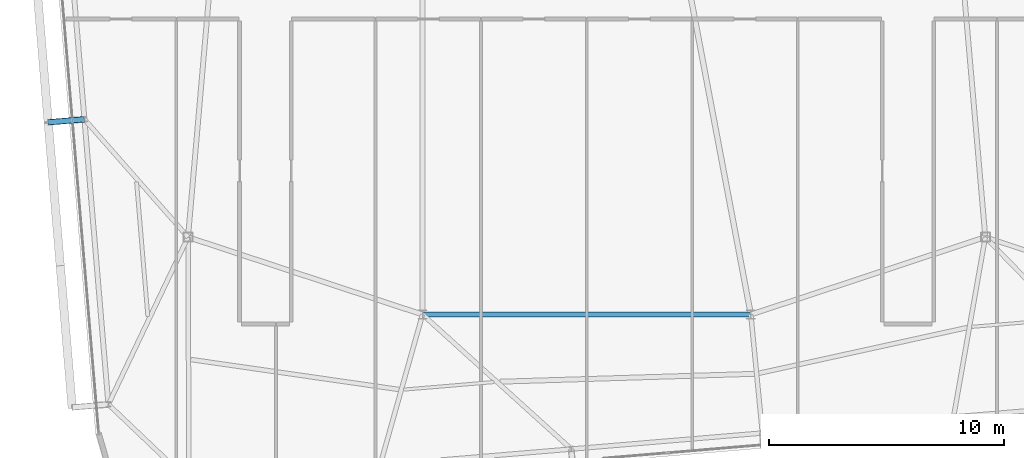
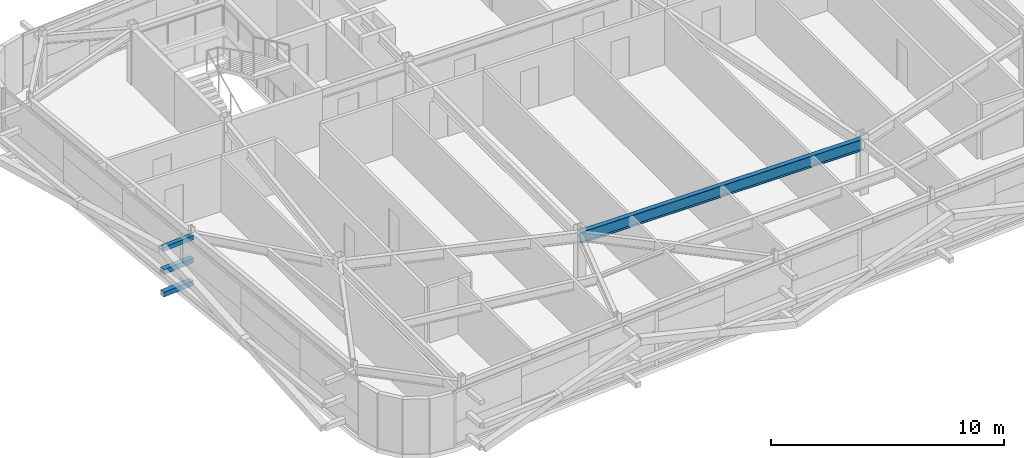
# One storey, part 11 of 39: 3 members, 1 beam.
"""IFC4 building model written with IfcOpenShell, lengths in metres."""

from ifc_helpers import new_model, si_unit, direction, frame, origin, origin_2d, place, context, subcontext, project, spatial, hollow_rectangle, i_section, extrude, source, transform, mapped, material, material_profile, profile_set, type_object, element, save


model = new_model("IFC4")

# Units and contexts
model_context = context("Model", 3, precision=1e-05, world=origin(), true_north=direction((0.0, 1.0)))
body_context = subcontext(model_context, "Body", "Model", "MODEL_VIEW")
ifc_project = project(units=[si_unit("LENGTHUNIT", "METRE"), si_unit("AREAUNIT", "SQUARE_METRE"), si_unit("VOLUMEUNIT", "CUBIC_METRE"), si_unit("PLANEANGLEUNIT", "RADIAN"), si_unit("MASSUNIT", "GRAM", prefix="KILO")], contexts=[model_context])

# Site, building, storey
site_placement = place(None, origin())
site = spatial("IfcSite", under=ifc_project, at=site_placement, CompositionType="ELEMENT")
building_placement = place(site_placement, origin())
building = spatial("IfcBuilding", under=site, at=building_placement, Name="Taldren Reach Tower", CompositionType="ELEMENT")
storey_placement = place(building_placement, frame((0.0, 0.0, 204.050048828125)))
storey = spatial("IfcBuildingStorey", under=building, at=storey_placement, Name="L62", CompositionType="ELEMENT", Elevation=204.050048828125)

# Beam
ifc_material_1 = material(Name="Steel Gr 350 (350PLUS)", Category="steel")
ifc_material_profile_1 = material_profile(ifc_material_1, i_section(OverallWidth=0.22802734375, OverallDepth=0.60205078125, WebThickness=0.010498046875, FlangeThickness=0.014892578125, at=origin_2d()), Name="610UB101")
ifc_profile_set_1 = profile_set([ifc_material_profile_1], Name="Steel Gr 350 (350PLUS)")
beam_type = type_object("IfcBeamType", Name="BM-UB610B", PredefinedType="BEAM", material=ifc_profile_set_1)
shared_shape_1 = source(origin(), body_context, "Body", "SweptSolid", [
    extrude(i_section(OverallWidth=0.22802734375, OverallDepth=0.60205078125, WebThickness=0.010498046875, FlangeThickness=0.014892578125, at=origin_2d()), origin(), (0.0, 0.0, 1.0), 14.0),
])
beam_placement = place(storey_placement, frame((28.0, 9.199951171875, 2.56884765625), z_axis=(1.0, 0.0, 0.0), x_axis=(0.0, 1.0, 0.0)))
element("IfcBeam", 1, at=beam_placement, inside=storey, type_object=beam_type, Name="Core-spine girder L62-SP11", PredefinedType="BEAM", context=body_context, shape_type="MappedRepresentation", body=[
    mapped(shared_shape_1, transform((0.0, 0.0, 0.0), scale=1.0)),
])

# Members
ifc_material_2 = material(Name="Steel Gr 450 (C450L0)", Category="steel")
ifc_material_profile_2 = material_profile(ifc_material_2, hollow_rectangle(XDim=0.219970703125, YDim=0.219970703125, WallThickness=0.00830078125, at=origin_2d()), Name="220x220x8.2SHS")
ifc_profile_set_2 = profile_set([ifc_material_profile_2], Name="Steel Gr 450 (C450L0)")
member_type_1 = type_object("IfcMemberType", Name="MB-TIE219", PredefinedType="STRUT", material=ifc_profile_set_2)
shared_shape_2 = source(origin(), body_context, "Body", "SweptSolid", [
    extrude(hollow_rectangle(XDim=0.219970703125, YDim=0.219970703125, WallThickness=0.00830078125, at=origin_2d()), origin(), (0.0, 0.0, 1.0), 1.54541015625),
])
member_placement = place(storey_placement, frame((13.578125, 17.52490234375, 2.58984375), z_axis=(-0.99648887425, -0.083725285883, 0.0), x_axis=(0.083725285883, -0.99648887425, 0.0)))
element("IfcMember", 2, at=member_placement, inside=storey, type_object=member_type_1, Name="Exoskeleton diaphragm tie strut B4-W2 L62", PredefinedType="STRUT", context=body_context, shape_type="MappedRepresentation", body=[
    mapped(shared_shape_2, transform((0.0, 0.0, 0.0), scale=1.0)),
])
ifc_material_3 = material(Name="Steel Gr 350 (C350L0)", Category="steel")
ifc_material_profile_3 = material_profile(ifc_material_3, hollow_rectangle(XDim=0.25, YDim=0.25, WallThickness=0.010009765625, at=origin_2d()), Name="250x250x10.0SHS")
ifc_profile_set_3 = profile_set([ifc_material_profile_3], Name="Steel Gr 350 (C350L0)")
member_type_2 = type_object("IfcMemberType", Name="MB-POST250", PredefinedType="POST", material=ifc_profile_set_3)
shared_shape_3 = source(origin(), body_context, "Body", "SweptSolid", [
    extrude(hollow_rectangle(XDim=0.25, YDim=0.25, WallThickness=0.010009765625, at=origin_2d()), origin(), (0.0, 0.0, 1.0), 1.54541015625),
])
for number, where, z_axis, x_axis, name in (
    (3, (13.578125, 17.52490234375, 0.219970703125), (-0.99648887425, -0.083725285883, 0.0), (0.083725285883, -0.99648887425, 0.0), "Exoskeleton base diaphragm tie strut B4-W2 L62"),
    (4, (13.578125, 17.52490234375, 1.405029296875), (-0.99648887425, -0.083725285883, 0.0), (0.083725285883, -0.99648887425, 0.0), "Exoskeleton mid-tier diaphragm tie B4-W2 L62"),
):
    element("IfcMember", number, at=place(storey_placement, frame(where, z_axis=z_axis, x_axis=x_axis)), inside=storey, type_object=member_type_2, Name=name, PredefinedType="POST", context=body_context, shape_type="MappedRepresentation", body=[
        mapped(shared_shape_3, transform((0.0, 0.0, 0.0), scale=1.0)),
    ])

save(model, "model.ifc")
